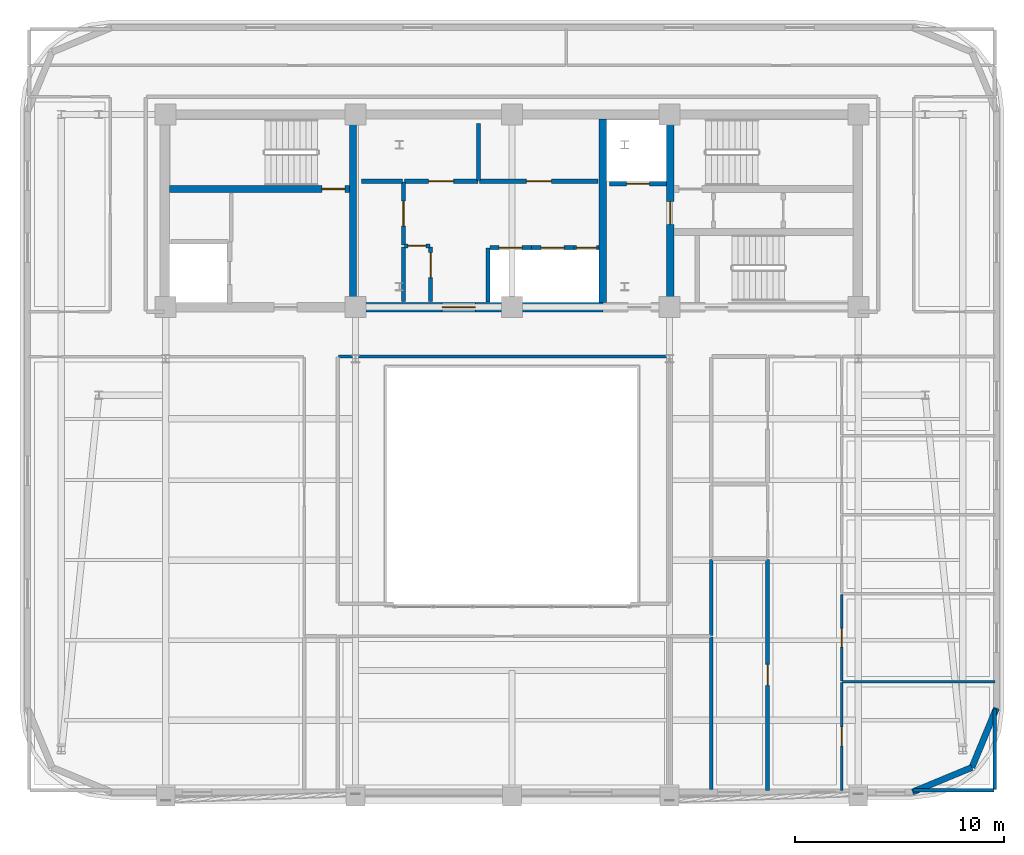
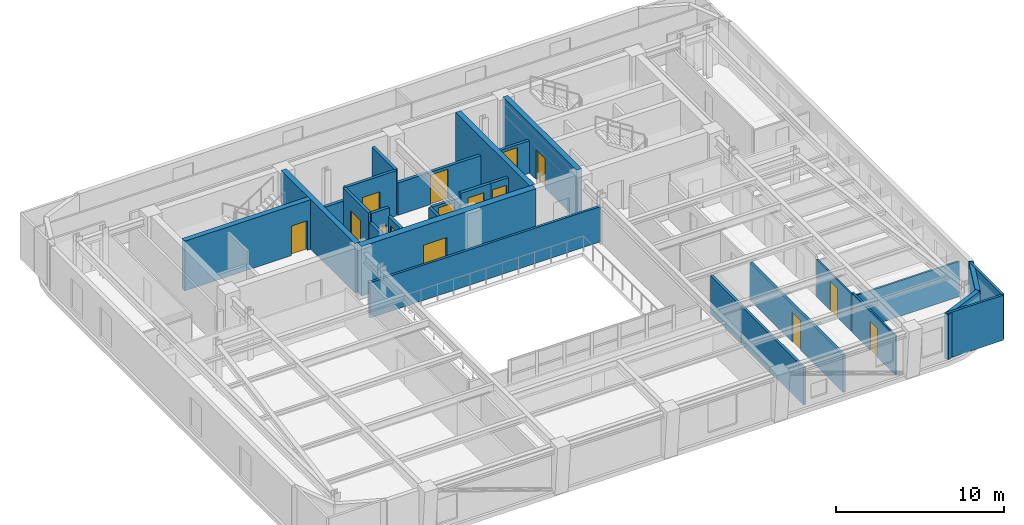
# One storey, part 7 of 13: 29 walls, 15 doors, 15 openings.
"""IFC4 building model written with IfcOpenShell, lengths in metres."""

from ifc_helpers import new_model, si_unit, direction, frame, frame_2d, origin, place, context, subcontext, project, spatial, rectangle, extrude, material, layer, layer_set, type_object, element, fill, save


model = new_model("IFC4")

# Units and contexts
model_context = context("Model", 3, precision=1e-05, world=origin(), true_north=direction((0.0, 1.0)))
body_context = subcontext(model_context, "Body", "Model", "MODEL_VIEW")
ifc_project = project(units=[si_unit("LENGTHUNIT", "METRE"), si_unit("AREAUNIT", "SQUARE_METRE"), si_unit("VOLUMEUNIT", "CUBIC_METRE"), si_unit("PLANEANGLEUNIT", "RADIAN"), si_unit("MASSUNIT", "GRAM", prefix="KILO")], contexts=[model_context])

# Site, building, storey
site_placement = place(None, origin())
site = spatial("IfcSite", under=ifc_project, at=site_placement, CompositionType="ELEMENT")
building_placement = place(site_placement, origin())
building = spatial("IfcBuilding", under=site, at=building_placement, Name="Zarnavel Station Tower", CompositionType="ELEMENT")
storey_placement = place(building_placement, frame((0.0, 0.0, 240.0)))
storey = spatial("IfcBuildingStorey", under=building, at=storey_placement, Name="L65", CompositionType="ELEMENT", Elevation=240.0)

# Walls
ifc_material_1 = material(Name="Concrete C50/60", Category="concrete")
ifc_layer_1 = layer(ifc_material_1, 0.35009765625)
ifc_layer_set_1 = layer_set([ifc_layer_1], Name="CW_350")
wall_type_1 = type_object("IfcWallType", Name="CW_350", PredefinedType="SHEAR", material=ifc_layer_set_1)
for number, where, z_axis, x_axis, name in (
    (1, (21.179931640625, 28.044921875, 0.0), (0.0, 0.0, 1.0), (0.0, 1.0, 0.0), "L65 Rear Core Shear Wall DIV-W"),
    (2, (33.14990234375, 28.044921875, 0.0), (0.0, 0.0, 1.0), (0.0, 1.0, 0.0), "L65 Rear Core Shear Wall DIV-E"),
):
    element("IfcWall", number, at=place(storey_placement, frame(where, z_axis=z_axis, x_axis=x_axis)), inside=storey, type_object=wall_type_1, Name=name, PredefinedType="SHEAR", context=body_context, shape_type="SweptSolid", body=[
        extrude(rectangle(XDim=8.780029296875, YDim=0.35009765625, at=frame_2d((4.39013671875, 0.0))), origin(), (0.0, 0.0, 1.0), 3.60009765625),
    ])

# Wall, opening, door
wall_1_placement = place(storey_placement, frame((36.3798828125, 28.044921875, 0.0), z_axis=(0.0, 0.0, 1.0), x_axis=(0.0, 1.0, 0.0)))
wall_1 = element("IfcWall", 3, at=wall_1_placement, inside=storey, type_object=wall_type_1, Name="L65 Rear Core Shear Wall DIV-S2", PredefinedType="SHEAR", context=body_context, shape_type="SweptSolid", body=[
    extrude(rectangle(XDim=8.780029296875, YDim=0.35009765625, at=frame_2d((4.39013671875, 0.0))), origin(), (0.0, 0.0, 1.0), 3.60009765625),
])
opening_1_placement = place(wall_1_placement, frame((3.735107421875, 0.0, 0.0)))
opening_1 = element("IfcOpeningElement", 4, at=opening_1_placement, cuts=wall_1, Name="Opening FD01", PredefinedType="OPENING", context=body_context, shape_type="SweptSolid", body=[
    extrude(rectangle(XDim=1.10009765625, YDim=2.14990234375, at=frame_2d((0.550048828125, 1.074951171875))), frame((0.0, 0.18505859375, 0.0), z_axis=(0.0, -1.0, 0.0), x_axis=(1.0, 0.0, 0.0)), (0.0, 0.0, 1.0), 0.3701171875),
])
ifc_material_2 = material(Name="Painted Galvanised Steel and Hardwood Leaf", Category="steel")
door_type_1 = type_object("IfcDoorType", Name="ID_STAIR_1100", OperationType="NOTDEFINED", PredefinedType="DOOR", material=ifc_material_2)
door_1_placement = place(opening_1_placement, origin())
door_1 = element("IfcDoor", 5, at=door_1_placement, inside=storey, type_object=door_type_1, Name="L65 East Stair Vestibule Fire Door", OperationType="SINGLE_SWING_LEFT", OverallHeight=2.14990234375, OverallWidth=1.10009765625, PredefinedType="DOOR", context=body_context, shape_type="SweptSolid", body=[
    extrude(rectangle(XDim=1.10009765625, YDim=2.14990234375, at=frame_2d((0.550048828125, 1.074951171875))), frame((0.0, 0.02490234375, 0.0), z_axis=(0.0, -1.0, 0.0), x_axis=(1.0, 0.0, 0.0)), (0.0, 0.0, 1.0), 0.050048828125),
])
fill(opening_1, door_1)

wall_2_placement = place(storey_placement, frame((21.0048828125, 33.47998046875, 0.0), z_axis=(0.0, 0.0, 1.0), x_axis=(-1.0, 0.0, 0.0)))
wall_2 = element("IfcWall", 6, at=wall_2_placement, inside=storey, type_object=wall_type_1, Name="L65 Rear Core Shear Wall DIV-H1", PredefinedType="SHEAR", context=body_context, shape_type="SweptSolid", body=[
    extrude(rectangle(XDim=8.6298828125, YDim=0.35009765625, at=frame_2d((4.31494140625, 0.0))), origin(), (0.0, 0.0, 1.0), 3.60009765625),
])
opening_2_placement = place(wall_2_placement, frame((0.219970703125, 0.0, 0.0)))
opening_2 = element("IfcOpeningElement", 7, at=opening_2_placement, cuts=wall_2, Name="Opening FD01", PredefinedType="OPENING", context=body_context, shape_type="SweptSolid", body=[
    extrude(rectangle(XDim=1.10009765625, YDim=2.14990234375, at=frame_2d((0.550048828125, 1.074951171875))), frame((0.0, 0.18505859375, 0.0), z_axis=(0.0, -1.0, 0.0), x_axis=(1.0, 0.0, 0.0)), (0.0, 0.0, 1.0), 0.3701171875),
])
door_2_placement = place(opening_2_placement, origin())
door_2 = element("IfcDoor", 8, at=door_2_placement, inside=storey, type_object=door_type_1, Name="L65 Stair ST1 Lobby Fire Door", OperationType="SINGLE_SWING_LEFT", OverallHeight=2.14990234375, OverallWidth=1.10009765625, PredefinedType="DOOR", context=body_context, shape_type="SweptSolid", body=[
    extrude(rectangle(XDim=1.10009765625, YDim=2.14990234375, at=frame_2d((0.550048828125, 1.074951171875))), frame((0.0, 0.02490234375, 0.0), z_axis=(0.0, -1.0, 0.0), x_axis=(1.0, 0.0, 0.0)), (0.0, 0.0, 1.0), 0.050048828125),
])
fill(opening_2, door_2)

ifc_material_3 = material(Name="Concrete C50/60", Category="concrete")
ifc_layer_2 = layer(ifc_material_3, 0.449951171875)
ifc_layer_set_2 = layer_set([ifc_layer_2], Name="CW_450")
wall_type_2 = type_object("IfcWallType", Name="CW_450", PredefinedType="SHEAR", material=ifc_layer_set_2)
wall_3_placement = place(storey_placement, frame((33.14990234375, 27.820068359375, 0.0), z_axis=(0.0, 0.0, 1.0), x_axis=(-1.0, 0.0, 0.0)))
wall_3 = element("IfcWall", 9, at=wall_3_placement, inside=storey, type_object=wall_type_2, Name="L65 Rear Core Shear Wall S-M", PredefinedType="SHEAR", context=body_context, shape_type="SweptSolid", body=[
    extrude(rectangle(XDim=11.969970703125, YDim=0.449951171875, at=frame_2d((5.98486328125, 0.0))), origin(), (0.0, 0.0, 1.0), 3.60009765625),
])
opening_3_placement = place(wall_3_placement, frame((6.10009765625, 0.0, 0.0)))
opening_3 = element("IfcOpeningElement", 10, at=opening_3_placement, cuts=wall_3, Name="Opening ID03", PredefinedType="OPENING", context=body_context, shape_type="SweptSolid", body=[
    extrude(rectangle(XDim=1.60009765625, YDim=2.199951171875, at=frame_2d((0.800048828125, 1.10009765625))), frame((0.0, 0.23486328125, 0.0), z_axis=(0.0, -1.0, 0.0), x_axis=(1.0, 0.0, 0.0)), (0.0, 0.0, 1.0), 0.469970703125),
])
ifc_material_4 = material(Name="Painted Galvanised Steel and Hardwood Leaf", Category="steel")
door_type_2 = type_object("IfcDoorType", Name="ID_PUBLIC_1600", OperationType="DOUBLE_DOOR_SINGLE_SWING", PredefinedType="DOOR", material=ifc_material_4)
door_3_placement = place(opening_3_placement, origin())
door_3 = element("IfcDoor", 11, at=door_3_placement, inside=storey, type_object=door_type_2, Name="L65 Passenger Lift Lobby Double Door", OperationType="SINGLE_SWING_LEFT", OverallHeight=2.199951171875, OverallWidth=1.60009765625, PredefinedType="DOOR", context=body_context, shape_type="SweptSolid", body=[
    extrude(rectangle(XDim=1.60009765625, YDim=2.199951171875, at=frame_2d((0.800048828125, 1.10009765625))), frame((0.0, 0.02490234375, 0.0), z_axis=(0.0, -1.0, 0.0), x_axis=(1.0, 0.0, 0.0)), (0.0, 0.0, 1.0), 0.050048828125),
])
fill(opening_3, door_3)

# Walls
ifc_material_5 = material(Name="Precast concrete C45/55 (Dark Basalt Finish)", Category="masonry")
ifc_layer_3 = layer(ifc_material_5, 0.300048828125)
ifc_layer_set_3 = layer_set([ifc_layer_3], Name="EW_BASALT_300")
wall_type_3 = type_object("IfcWallType", Name="EW_BASALT_300", PredefinedType="SOLIDWALL", material=ifc_layer_set_3)
wall_4_placement = place(storey_placement, frame((50.842529296875, 5.75732421875, 0.0), z_axis=(0.0, 0.0, 1.0), x_axis=(-0.92389884758, -0.382636798336, 0.0)))
element("IfcWall", 12, at=wall_4_placement, inside=storey, type_object=wall_type_3, Name="L65 Exterior Basalt Masonry Frame Wall 01", PredefinedType="SOLIDWALL", context=body_context, shape_type="SweptSolid", body=[
    extrude(rectangle(XDim=3.07666015625, YDim=0.300048828125, at=frame_2d((1.538330078125, 0.0))), origin(), (0.0, 0.0, 1.0), 3.280029296875),
])
wall_5_placement = place(storey_placement, frame((52.02001953125, 8.60009765625, 0.0), z_axis=(0.0, 0.0, 1.0), x_axis=(-0.382676475685, -0.923882414032, 0.0)))
element("IfcWall", 13, at=wall_5_placement, inside=storey, type_object=wall_type_3, Name="L65 Exterior Basalt Masonry Frame Wall 02", PredefinedType="SOLIDWALL", context=body_context, shape_type="SweptSolid", body=[
    extrude(rectangle(XDim=3.076904296875, YDim=0.300048828125, at=frame_2d((1.53857421875, 0.0))), origin(), (0.0, 0.0, 1.0), 3.280029296875),
])
ifc_material_6 = material(Name="Gypsum Twin-Stud Acoustic Fire Partition", Category="concrete")
ifc_layer_4 = layer(ifc_material_6, 0.159912109375)
ifc_layer_set_4 = layer_set([ifc_layer_4], Name="PT_DEMISE_160")
wall_type_4 = type_object("IfcWallType", Name="PT_DEMISE_160", PredefinedType="PARTITIONING", material=ifc_layer_set_4)
wall_6_placement = place(storey_placement, frame((20.47998046875, 25.449951171875, 0.0), z_axis=(0.0, 0.0, 1.0), x_axis=(1.0, 0.0, 0.0)))
element("IfcWall", 14, at=wall_6_placement, inside=storey, type_object=wall_type_4, Name="L65 Enclosure Wall COR-S", PredefinedType="PARTITIONING", context=body_context, shape_type="SweptSolid", body=[
    extrude(rectangle(XDim=15.840087890625, YDim=0.159912109375, at=frame_2d((7.919921875, 0.0))), origin(), (0.0, 0.0, 1.0), 2.56005859375),
])
wall_7_placement = place(storey_placement, frame((38.35009765625, 4.68994140625, 0.0), z_axis=(0.0, 0.0, 1.0), x_axis=(0.0, 1.0, 0.0)))
element("IfcWall", 15, at=wall_7_placement, inside=storey, type_object=wall_type_4, Name="L65 Enclosure Wall UE1KT", PredefinedType="PARTITIONING", context=body_context, shape_type="SweptSolid", body=[
    extrude(rectangle(XDim=7.330078125, YDim=0.159912109375, at=frame_2d((3.6650390625, 0.0))), origin(), (0.0, 0.0, 1.0), 2.7099609375),
])
wall_8_placement = place(storey_placement, frame((48.030029296875, 4.659912109375, 0.0), z_axis=(0.0, 0.0, 1.0), x_axis=(1.0, 0.0, 0.0)))
element("IfcWall", 16, at=wall_8_placement, inside=storey, type_object=wall_type_4, Name="L65 Enclosure Wall UE1B1", PredefinedType="PARTITIONING", context=body_context, shape_type="SweptSolid", body=[
    extrude(rectangle(XDim=3.8798828125, YDim=0.159912109375, at=frame_2d((1.93994140625, 0.0))), origin(), (0.0, 0.0, 1.0), 3.280029296875),
])
wall_9_placement = place(storey_placement, frame((51.93994140625, 4.68994140625, 0.0), z_axis=(0.0, 0.0, 1.0), x_axis=(0.0, 1.0, 0.0)))
element("IfcWall", 17, at=wall_9_placement, inside=storey, type_object=wall_type_4, Name="L65 Enclosure Wall UE1B1", PredefinedType="PARTITIONING", context=body_context, shape_type="SweptSolid", body=[
    extrude(rectangle(XDim=3.880126953125, YDim=0.159912109375, at=frame_2d((1.93994140625, 0.0))), origin(), (0.0, 0.0, 1.0), 3.280029296875),
])

# Wall, opening, door
ifc_material_7 = material(Name="Gypsum Metal-Stud Interior Partition", Category="concrete")
ifc_layer_5 = layer(ifc_material_7, 0.1201171875)
ifc_layer_set_5 = layer_set([ifc_layer_5], Name="PT_ROOM_120")
wall_type_5 = type_object("IfcWallType", Name="PT_ROOM_120", PredefinedType="PARTITIONING", material=ifc_layer_set_5)
wall_10_placement = place(storey_placement, frame((44.60888671875, 4.659912109375, 0.0), z_axis=(0.0, 0.0, 1.0), x_axis=(0.0, 1.0, 0.0)))
wall_10 = element("IfcWall", 18, at=wall_10_placement, inside=storey, type_object=wall_type_5, Name="L65 Partition UE1LV-UE1B1", PredefinedType="PARTITIONING", context=body_context, shape_type="SweptSolid", body=[
    extrude(rectangle(XDim=5.156982421875, YDim=0.1201171875, at=frame_2d((2.57861328125, 0.0))), origin(), (0.0, 0.0, 1.0), 2.8701171875),
])
opening_4_placement = place(wall_10_placement, frame((2.12841796875, 0.0, 0.0)))
opening_4 = element("IfcOpeningElement", 19, at=opening_4_placement, cuts=wall_10, Name="Opening ID01", PredefinedType="OPENING", context=body_context, shape_type="SweptSolid", body=[
    extrude(rectangle(XDim=0.89990234375, YDim=2.10009765625, at=frame_2d((0.449951171875, 1.050048828125))), frame((0.0, 0.070068359375, 0.0), z_axis=(0.0, -1.0, 0.0), x_axis=(1.0, 0.0, 0.0)), (0.0, 0.0, 1.0), 0.14013671875),
])
ifc_material_8 = material(Name="Painted Galvanised Steel and Hardwood Leaf", Category="steel")
door_type_3 = type_object("IfcDoorType", Name="ID_ROOM_900", OperationType="NOTDEFINED", PredefinedType="DOOR", material=ifc_material_8)
door_4_placement = place(opening_4_placement, origin())
door_4 = element("IfcDoor", 20, at=door_4_placement, inside=storey, type_object=door_type_3, Name="L65 Door UE1LV-UE1B1", OperationType="SINGLE_SWING_RIGHT", OverallHeight=2.10009765625, OverallWidth=0.89990234375, PredefinedType="DOOR", context=body_context, shape_type="SweptSolid", body=[
    extrude(rectangle(XDim=0.89990234375, YDim=2.10009765625, at=frame_2d((0.449951171875, 1.050048828125))), frame((0.0, 0.02490234375, 0.0), z_axis=(0.0, -1.0, 0.0), x_axis=(1.0, 0.0, 0.0)), (0.0, 0.0, 1.0), 0.050048828125),
])
fill(opening_4, door_4)

wall_11_placement = place(storey_placement, frame((44.60888671875, 9.89697265625, 0.0), z_axis=(0.0, 0.0, 1.0), x_axis=(0.0, 1.0, 0.0)))
wall_11 = element("IfcWall", 21, at=wall_11_placement, inside=storey, type_object=wall_type_5, Name="L65 Partition UE1LV-UE1B2", PredefinedType="PARTITIONING", context=body_context, shape_type="SweptSolid", body=[
    extrude(rectangle(XDim=4.14794921875, YDim=0.1201171875, at=frame_2d((2.073974609375, 0.0))), origin(), (0.0, 0.0, 1.0), 2.7099609375),
])
opening_5_placement = place(wall_11_placement, frame((1.6240234375, 0.0, 0.0)))
opening_5 = element("IfcOpeningElement", 22, at=opening_5_placement, cuts=wall_11, Name="Opening ID01", PredefinedType="OPENING", context=body_context, shape_type="SweptSolid", body=[
    extrude(rectangle(XDim=0.89990234375, YDim=2.10009765625, at=frame_2d((0.449951171875, 1.050048828125))), frame((0.0, 0.070068359375, 0.0), z_axis=(0.0, -1.0, 0.0), x_axis=(1.0, 0.0, 0.0)), (0.0, 0.0, 1.0), 0.14013671875),
])
door_5_placement = place(opening_5_placement, origin())
door_5 = element("IfcDoor", 23, at=door_5_placement, inside=storey, type_object=door_type_3, Name="L65 Door UE1LV-UE1B2", OperationType="SINGLE_SWING_LEFT", OverallHeight=2.10009765625, OverallWidth=0.89990234375, PredefinedType="DOOR", context=body_context, shape_type="SweptSolid", body=[
    extrude(rectangle(XDim=0.89990234375, YDim=2.10009765625, at=frame_2d((0.449951171875, 1.050048828125))), frame((0.0, 0.02490234375, 0.0), z_axis=(0.0, -1.0, 0.0), x_axis=(1.0, 0.0, 0.0)), (0.0, 0.0, 1.0), 0.050048828125),
])
fill(opening_5, door_5)

# Wall
wall_12_placement = place(storey_placement, frame((44.64892578125, 9.85693359375, 0.0), z_axis=(0.0, 0.0, 1.0), x_axis=(1.0, 0.0, 0.0)))
element("IfcWall", 24, at=wall_12_placement, inside=storey, type_object=wall_type_5, Name="L65 Partition UE1B1-UE1B2", PredefinedType="PARTITIONING", context=body_context, shape_type="SweptSolid", body=[
    extrude(rectangle(XDim=7.291015625, YDim=0.1201171875, at=frame_2d((3.6455078125, 0.0))), origin(), (0.0, 0.0, 1.0), 2.56005859375),
])

# Wall, opening, door
ifc_material_9 = material(Name="Precast concrete C45/55 (Fire Shaft Blockwork)", Category="masonry")
ifc_layer_6 = layer(ifc_material_9, 0.199951171875)
ifc_layer_set_6 = layer_set([ifc_layer_6], Name="PT_SHAFT_200")
wall_type_6 = type_object("IfcWallType", Name="PT_SHAFT_200", PredefinedType="PARTITIONING", material=ifc_layer_set_6)
wall_13_placement = place(storey_placement, frame((33.47509765625, 33.72998046875, 0.0), z_axis=(0.0, 0.0, 1.0), x_axis=(1.0, 0.0, 0.0)))
wall_13 = element("IfcWall", 25, at=wall_13_placement, inside=storey, type_object=wall_type_6, Name="L65 Lift FFL-02 Shaft Front Wall", PredefinedType="PARTITIONING", context=body_context, shape_type="SweptSolid", body=[
    extrude(rectangle(XDim=2.724853515625, YDim=0.199951171875, at=frame_2d((1.3623046875, 0.0))), origin(), (0.0, 0.0, 1.0), 2.35009765625),
])
opening_6_placement = place(wall_13_placement, frame((0.8125, 0.0, 0.0)))
opening_6 = element("IfcOpeningElement", 26, at=opening_6_placement, cuts=wall_13, Name="Opening LD01", PredefinedType="OPENING", context=body_context, shape_type="SweptSolid", body=[
    extrude(rectangle(XDim=1.10009765625, YDim=2.14990234375, at=frame_2d((0.550048828125, 1.074951171875))), frame((0.0, 0.10986328125, 0.0), z_axis=(0.0, -1.0, 0.0), x_axis=(1.0, 0.0, 0.0)), (0.0, 0.0, 1.0), 0.219970703125),
])
ifc_material_10 = material(Name="Painted Galvanised Steel and Hardwood Leaf", Category="steel")
door_type_4 = type_object("IfcDoorType", Name="LD_FF_1100", OperationType="DOUBLE_DOOR_SLIDING", PredefinedType="DOOR", material=ifc_material_10)
door_6_placement = place(opening_6_placement, origin())
door_6 = element("IfcDoor", 27, at=door_6_placement, inside=storey, type_object=door_type_4, Name="L65 Lift FFL-02 Sliding Landing Door", OperationType="DOUBLE_DOOR_SLIDING", OverallHeight=2.14990234375, OverallWidth=1.10009765625, PredefinedType="DOOR", context=body_context, shape_type="SweptSolid", body=[
    extrude(rectangle(XDim=1.10009765625, YDim=2.14990234375, at=frame_2d((0.550048828125, 1.074951171875))), frame((0.0, 0.02490234375, 0.0), z_axis=(0.0, -1.0, 0.0), x_axis=(1.0, 0.0, 0.0)), (0.0, 0.0, 1.0), 0.050048828125),
])
fill(opening_6, door_6)

wall_14_placement = place(storey_placement, frame((27.75, 30.669921875, 0.0), z_axis=(0.0, 0.0, 1.0), x_axis=(1.0, 0.0, 0.0)))
wall_14 = element("IfcWall", 28, at=wall_14_placement, inside=storey, type_object=wall_type_6, Name="L65 Lift PL-H1 Shaft Front Wall", PredefinedType="PARTITIONING", context=body_context, shape_type="SweptSolid", body=[
    extrude(rectangle(XDim=1.97509765625, YDim=0.199951171875, at=frame_2d((0.987548828125, 0.0))), origin(), (0.0, 0.0, 1.0), 2.35009765625),
])
opening_7_placement = place(wall_14_placement, frame((0.4375, 0.0, 0.0)))
opening_7 = element("IfcOpeningElement", 29, at=opening_7_placement, cuts=wall_14, Name="Opening LD02", PredefinedType="OPENING", context=body_context, shape_type="SweptSolid", body=[
    extrude(rectangle(XDim=1.10009765625, YDim=2.14990234375, at=frame_2d((0.550048828125, 1.074951171875))), frame((0.0, 0.10986328125, 0.0), z_axis=(0.0, -1.0, 0.0), x_axis=(1.0, 0.0, 0.0)), (0.0, 0.0, 1.0), 0.219970703125),
])
ifc_material_11 = material(Name="Painted Galvanised Steel and Hardwood Leaf", Category="steel")
door_type_5 = type_object("IfcDoorType", Name="LD_PAX_1100", OperationType="DOUBLE_DOOR_SLIDING", PredefinedType="DOOR", material=ifc_material_11)
door_7_placement = place(opening_7_placement, origin())
door_7 = element("IfcDoor", 30, at=door_7_placement, inside=storey, type_object=door_type_5, Name="L65 Lift PL-H1 Sliding Landing Door", OperationType="DOUBLE_DOOR_SLIDING", OverallHeight=2.14990234375, OverallWidth=1.10009765625, PredefinedType="DOOR", context=body_context, shape_type="SweptSolid", body=[
    extrude(rectangle(XDim=1.10009765625, YDim=2.14990234375, at=frame_2d((0.550048828125, 1.074951171875))), frame((0.0, 0.02490234375, 0.0), z_axis=(0.0, -1.0, 0.0), x_axis=(1.0, 0.0, 0.0)), (0.0, 0.0, 1.0), 0.050048828125),
])
fill(opening_7, door_7)

# Wall
wall_15_placement = place(storey_placement, frame((27.64990234375, 28.070068359375, 0.0), z_axis=(0.0, 0.0, 1.0), x_axis=(0.0, 1.0, 0.0)))
element("IfcWall", 31, at=wall_15_placement, inside=storey, type_object=wall_type_6, Name="L65 High-Rise Lift Bank West Shaft Wall", PredefinedType="PARTITIONING", context=body_context, shape_type="SweptSolid", body=[
    extrude(rectangle(XDim=2.579833984375, YDim=0.199951171875, at=frame_2d((1.2900390625, 0.0))), origin(), (0.0, 0.0, 1.0), 2.35009765625),
])

# Wall, opening, door
wall_16_placement = place(storey_placement, frame((29.72509765625, 30.669921875, 0.0), z_axis=(0.0, 0.0, 1.0), x_axis=(1.0, 0.0, 0.0)))
wall_16 = element("IfcWall", 32, at=wall_16_placement, inside=storey, type_object=wall_type_6, Name="L65 Lift PL-H2 Shaft Front Wall", PredefinedType="PARTITIONING", context=body_context, shape_type="SweptSolid", body=[
    extrude(rectangle(XDim=2.0498046875, YDim=0.199951171875, at=frame_2d((1.02490234375, 0.0))), origin(), (0.0, 0.0, 1.0), 2.659912109375),
])
opening_8_placement = place(wall_16_placement, frame((0.47509765625, 0.0, 0.0)))
opening_8 = element("IfcOpeningElement", 33, at=opening_8_placement, cuts=wall_16, Name="Opening LD02", PredefinedType="OPENING", context=body_context, shape_type="SweptSolid", body=[
    extrude(rectangle(XDim=1.10009765625, YDim=2.14990234375, at=frame_2d((0.550048828125, 1.074951171875))), frame((0.0, 0.10986328125, 0.0), z_axis=(0.0, -1.0, 0.0), x_axis=(1.0, 0.0, 0.0)), (0.0, 0.0, 1.0), 0.219970703125),
])
door_8_placement = place(opening_8_placement, origin())
door_8 = element("IfcDoor", 34, at=door_8_placement, inside=storey, type_object=door_type_5, Name="L65 Lift PL-H2 Sliding Landing Door", OperationType="DOUBLE_DOOR_SLIDING", OverallHeight=2.14990234375, OverallWidth=1.10009765625, PredefinedType="DOOR", context=body_context, shape_type="SweptSolid", body=[
    extrude(rectangle(XDim=1.10009765625, YDim=2.14990234375, at=frame_2d((0.550048828125, 1.074951171875))), frame((0.0, 0.02490234375, 0.0), z_axis=(0.0, -1.0, 0.0), x_axis=(1.0, 0.0, 0.0)), (0.0, 0.0, 1.0), 0.050048828125),
])
fill(opening_8, door_8)

wall_17_placement = place(storey_placement, frame((31.77490234375, 30.669921875, 0.0), z_axis=(0.0, 0.0, 1.0), x_axis=(1.0, 0.0, 0.0)))
wall_17 = element("IfcWall", 35, at=wall_17_placement, inside=storey, type_object=wall_type_6, Name="L65 Lift PL-H3 Shaft Front Wall", PredefinedType="PARTITIONING", context=body_context, shape_type="SweptSolid", body=[
    extrude(rectangle(XDim=1.2001953125, YDim=0.199951171875, at=frame_2d((0.60009765625, 0.0))), origin(), (0.0, 0.0, 1.0), 2.659912109375),
])
opening_9_placement = place(wall_17_placement, frame((0.125, 0.0, 0.0)))
opening_9 = element("IfcOpeningElement", 36, at=opening_9_placement, cuts=wall_17, Name="Opening LD03", PredefinedType="OPENING", context=body_context, shape_type="SweptSolid", body=[
    extrude(rectangle(XDim=0.949951171875, YDim=2.14990234375, at=frame_2d((0.47509765625, 1.074951171875))), frame((0.0, 0.10986328125, 0.0), z_axis=(0.0, -1.0, 0.0), x_axis=(1.0, 0.0, 0.0)), (0.0, 0.0, 1.0), 0.219970703125),
])
ifc_material_12 = material(Name="Painted Galvanised Steel and Hardwood Leaf", Category="steel")
door_type_6 = type_object("IfcDoorType", Name="LD_PAX_0950", OperationType="DOUBLE_DOOR_SLIDING", PredefinedType="DOOR", material=ifc_material_12)
door_9_placement = place(opening_9_placement, origin())
door_9 = element("IfcDoor", 37, at=door_9_placement, inside=storey, type_object=door_type_6, Name="L65 Lift PL-H3 Sliding Landing Door", OperationType="DOUBLE_DOOR_SLIDING", OverallHeight=2.14990234375, OverallWidth=0.949951171875, PredefinedType="DOOR", context=body_context, shape_type="SweptSolid", body=[
    extrude(rectangle(XDim=0.949951171875, YDim=2.14990234375, at=frame_2d((0.47509765625, 1.074951171875))), frame((0.0, 0.02490234375, 0.0), z_axis=(0.0, -1.0, 0.0), x_axis=(1.0, 0.0, 0.0)), (0.0, 0.0, 1.0), 0.050048828125),
])
fill(opening_9, door_9)

wall_18_placement = place(storey_placement, frame((23.60009765625, 30.7900390625, 0.0), z_axis=(0.0, 0.0, 1.0), x_axis=(0.0, 1.0, 0.0)))
wall_18 = element("IfcWall", 38, at=wall_18_placement, inside=storey, type_object=wall_type_6, Name="L65 Partition LLOB-CS1", PredefinedType="PARTITIONING", context=body_context, shape_type="SweptSolid", body=[
    extrude(rectangle(XDim=3.02001953125, YDim=0.199951171875, at=frame_2d((1.510009765625, 0.0))), origin(), (0.0, 0.0, 1.0), 3.280029296875),
])
opening_10_placement = place(wall_18_placement, frame((0.909912109375, 0.0, 0.0)))
opening_10 = element("IfcOpeningElement", 39, at=opening_10_placement, cuts=wall_18, Name="Opening FD03", PredefinedType="OPENING", context=body_context, shape_type="SweptSolid", body=[
    extrude(rectangle(XDim=1.199951171875, YDim=2.14990234375, at=frame_2d((0.60009765625, 1.074951171875))), frame((0.0, 0.10986328125, 0.0), z_axis=(0.0, -1.0, 0.0), x_axis=(1.0, 0.0, 0.0)), (0.0, 0.0, 1.0), 0.219970703125),
])
ifc_material_13 = material(Name="Painted Galvanised Steel and Hardwood Leaf", Category="steel")
door_type_7 = type_object("IfcDoorType", Name="ID_PLANT_1200", OperationType="NOTDEFINED", PredefinedType="DOOR", material=ifc_material_13)
door_10_placement = place(opening_10_placement, origin())
door_10 = element("IfcDoor", 40, at=door_10_placement, inside=storey, type_object=door_type_7, Name="L65 Door LLOB-CS1", OperationType="SINGLE_SWING_RIGHT", OverallHeight=2.14990234375, OverallWidth=1.199951171875, PredefinedType="DOOR", context=body_context, shape_type="SweptSolid", body=[
    extrude(rectangle(XDim=1.199951171875, YDim=2.14990234375, at=frame_2d((0.60009765625, 1.074951171875))), frame((0.0, 0.02490234375, 0.0), z_axis=(0.0, -1.0, 0.0), x_axis=(1.0, 0.0, 0.0)), (0.0, 0.0, 1.0), 0.050048828125),
])
fill(opening_10, door_10)

wall_19_placement = place(storey_placement, frame((23.639892578125, 30.75, 0.0), z_axis=(0.0, 0.0, 1.0), x_axis=(1.0, 0.0, 0.0)))
wall_19 = element("IfcWall", 41, at=wall_19_placement, inside=storey, type_object=wall_type_6, Name="L65 Partition LLOB-CS2", PredefinedType="PARTITIONING", context=body_context, shape_type="SweptSolid", body=[
    extrude(rectangle(XDim=1.22021484375, YDim=0.199951171875, at=frame_2d((0.610107421875, 0.0))), origin(), (0.0, 0.0, 1.0), 3.280029296875),
])
opening_11_placement = place(wall_19_placement, frame((0.18505859375, 0.0, 0.0)))
opening_11 = element("IfcOpeningElement", 42, at=opening_11_placement, cuts=wall_19, Name="Opening ID02", PredefinedType="OPENING", context=body_context, shape_type="SweptSolid", body=[
    extrude(rectangle(XDim=0.85009765625, YDim=2.10009765625, at=frame_2d((0.425048828125, 1.050048828125))), frame((0.0, 0.10986328125, 0.0), z_axis=(0.0, -1.0, 0.0), x_axis=(1.0, 0.0, 0.0)), (0.0, 0.0, 1.0), 0.219970703125),
])
ifc_material_14 = material(Name="Painted Galvanised Steel and Hardwood Leaf", Category="steel")
door_type_8 = type_object("IfcDoorType", Name="ID_BATH_850", OperationType="NOTDEFINED", PredefinedType="DOOR", material=ifc_material_14)
door_11_placement = place(opening_11_placement, origin())
door_11 = element("IfcDoor", 43, at=door_11_placement, inside=storey, type_object=door_type_8, Name="L65 Door LLOB-CS2", OperationType="SINGLE_SWING_LEFT", OverallHeight=2.10009765625, OverallWidth=0.85009765625, PredefinedType="DOOR", context=body_context, shape_type="SweptSolid", body=[
    extrude(rectangle(XDim=0.85009765625, YDim=2.10009765625, at=frame_2d((0.425048828125, 1.050048828125))), frame((0.0, 0.02490234375, 0.0), z_axis=(0.0, -1.0, 0.0), x_axis=(1.0, 0.0, 0.0)), (0.0, 0.0, 1.0), 0.050048828125),
])
fill(opening_11, door_11)

wall_20_placement = place(storey_placement, frame((23.639892578125, 33.85009765625, 0.0), z_axis=(0.0, 0.0, 1.0), x_axis=(1.0, 0.0, 0.0)))
wall_20 = element("IfcWall", 44, at=wall_20_placement, inside=storey, type_object=wall_type_6, Name="L65 Partition LLOB-FB2A", PredefinedType="PARTITIONING", context=body_context, shape_type="SweptSolid", body=[
    extrude(rectangle(XDim=3.52001953125, YDim=0.199951171875, at=frame_2d((1.760009765625, 0.0))), origin(), (0.0, 0.0, 1.0), 3.280029296875),
])
opening_12_placement = place(wall_20_placement, frame((1.159912109375, 0.0, 0.0)))
opening_12 = element("IfcOpeningElement", 45, at=opening_12_placement, cuts=wall_20, Name="Opening FD03", PredefinedType="OPENING", context=body_context, shape_type="SweptSolid", body=[
    extrude(rectangle(XDim=1.199951171875, YDim=2.14990234375, at=frame_2d((0.60009765625, 1.074951171875))), frame((0.0, 0.10986328125, 0.0), z_axis=(0.0, -1.0, 0.0), x_axis=(1.0, 0.0, 0.0)), (0.0, 0.0, 1.0), 0.219970703125),
])
door_12_placement = place(opening_12_placement, origin())
door_12 = element("IfcDoor", 46, at=door_12_placement, inside=storey, type_object=door_type_7, Name="L65 Door LLOB-FB2A", OperationType="SINGLE_SWING_RIGHT", OverallHeight=2.14990234375, OverallWidth=1.199951171875, PredefinedType="DOOR", context=body_context, shape_type="SweptSolid", body=[
    extrude(rectangle(XDim=1.199951171875, YDim=2.14990234375, at=frame_2d((0.60009765625, 1.074951171875))), frame((0.0, 0.02490234375, 0.0), z_axis=(0.0, -1.0, 0.0), x_axis=(1.0, 0.0, 0.0)), (0.0, 0.0, 1.0), 0.050048828125),
])
fill(opening_12, door_12)

wall_21_placement = place(storey_placement, frame((27.239990234375, 33.85009765625, 0.0), z_axis=(0.0, 0.0, 1.0), x_axis=(1.0, 0.0, 0.0)))
wall_21 = element("IfcWall", 47, at=wall_21_placement, inside=storey, type_object=wall_type_6, Name="L65 Partition LLOB-FB2B", PredefinedType="PARTITIONING", context=body_context, shape_type="SweptSolid", body=[
    extrude(rectangle(XDim=5.68994140625, YDim=0.199951171875, at=frame_2d((2.844970703125, 0.0))), origin(), (0.0, 0.0, 1.0), 2.35009765625),
])
opening_13_placement = place(wall_21_placement, frame((2.2451171875, 0.0, 0.0)))
opening_13 = element("IfcOpeningElement", 48, at=opening_13_placement, cuts=wall_21, Name="Opening FD03", PredefinedType="OPENING", context=body_context, shape_type="SweptSolid", body=[
    extrude(rectangle(XDim=1.199951171875, YDim=2.14990234375, at=frame_2d((0.60009765625, 1.074951171875))), frame((0.0, 0.10986328125, 0.0), z_axis=(0.0, -1.0, 0.0), x_axis=(1.0, 0.0, 0.0)), (0.0, 0.0, 1.0), 0.219970703125),
])
door_13_placement = place(opening_13_placement, origin())
door_13 = element("IfcDoor", 49, at=door_13_placement, inside=storey, type_object=door_type_7, Name="L65 Door LLOB-FB2B", OperationType="SINGLE_SWING_LEFT", OverallHeight=2.14990234375, OverallWidth=1.199951171875, PredefinedType="DOOR", context=body_context, shape_type="SweptSolid", body=[
    extrude(rectangle(XDim=1.199951171875, YDim=2.14990234375, at=frame_2d((0.60009765625, 1.074951171875))), frame((0.0, 0.02490234375, 0.0), z_axis=(0.0, -1.0, 0.0), x_axis=(1.0, 0.0, 0.0)), (0.0, 0.0, 1.0), 0.050048828125),
])
fill(opening_13, door_13)

wall_22_placement = place(storey_placement, frame((24.89990234375, 28.090087890625, 0.0), z_axis=(0.0, 0.0, 1.0), x_axis=(0.0, 1.0, 0.0)))
wall_22 = element("IfcWall", 50, at=wall_22_placement, inside=storey, type_object=wall_type_6, Name="L65 Partition LLOBS-CS2", PredefinedType="PARTITIONING", context=body_context, shape_type="SweptSolid", body=[
    extrude(rectangle(XDim=2.619873046875, YDim=0.199951171875, at=frame_2d((1.31005859375, 0.0))), origin(), (0.0, 0.0, 1.0), 2.659912109375),
])
opening_14_placement = place(wall_22_placement, frame((1.137451171875, 0.0, 0.0)))
opening_14 = element("IfcOpeningElement", 51, at=opening_14_placement, cuts=wall_22, Name="Opening FD03", PredefinedType="OPENING", context=body_context, shape_type="SweptSolid", body=[
    extrude(rectangle(XDim=1.199951171875, YDim=2.14990234375, at=frame_2d((0.60009765625, 1.074951171875))), frame((0.0, 0.10986328125, 0.0), z_axis=(0.0, -1.0, 0.0), x_axis=(1.0, 0.0, 0.0)), (0.0, 0.0, 1.0), 0.219970703125),
])
door_14_placement = place(opening_14_placement, origin())
door_14 = element("IfcDoor", 52, at=door_14_placement, inside=storey, type_object=door_type_7, Name="L65 Door LLOBS-CS2", OperationType="SINGLE_SWING_RIGHT", OverallHeight=2.14990234375, OverallWidth=1.199951171875, PredefinedType="DOOR", context=body_context, shape_type="SweptSolid", body=[
    extrude(rectangle(XDim=1.199951171875, YDim=2.14990234375, at=frame_2d((0.60009765625, 1.074951171875))), frame((0.0, 0.02490234375, 0.0), z_axis=(0.0, -1.0, 0.0), x_axis=(1.0, 0.0, 0.0)), (0.0, 0.0, 1.0), 0.050048828125),
])
fill(opening_14, door_14)

# Walls
wall_23_placement = place(storey_placement, frame((23.60009765625, 28.090087890625, 0.0), z_axis=(0.0, 0.0, 1.0), x_axis=(0.0, 1.0, 0.0)))
element("IfcWall", 53, at=wall_23_placement, inside=storey, type_object=wall_type_6, Name="L65 Partition CS1-CS2", PredefinedType="PARTITIONING", context=body_context, shape_type="SweptSolid", body=[
    extrude(rectangle(XDim=2.619873046875, YDim=0.199951171875, at=frame_2d((1.31005859375, 0.0))), origin(), (0.0, 0.0, 1.0), 2.659912109375),
])
wall_24_placement = place(storey_placement, frame((21.590087890625, 33.85009765625, 0.0), z_axis=(0.0, 0.0, 1.0), x_axis=(1.0, 0.0, 0.0)))
element("IfcWall", 54, at=wall_24_placement, inside=storey, type_object=wall_type_6, Name="L65 Partition CS1-FB2A", PredefinedType="PARTITIONING", context=body_context, shape_type="SweptSolid", body=[
    extrude(rectangle(XDim=1.969970703125, YDim=0.199951171875, at=frame_2d((0.98486328125, 0.0))), origin(), (0.0, 0.0, 1.0), 2.35009765625),
])
wall_25_placement = place(storey_placement, frame((27.199951171875, 33.889892578125, 0.0), z_axis=(0.0, 0.0, 1.0), x_axis=(0.0, 1.0, 0.0)))
element("IfcWall", 55, at=wall_25_placement, inside=storey, type_object=wall_type_6, Name="L65 Partition FB2A-FB2B", PredefinedType="PARTITIONING", context=body_context, shape_type="SweptSolid", body=[
    extrude(rectangle(XDim=2.72021484375, YDim=0.199951171875, at=frame_2d((1.360107421875, 0.0))), origin(), (0.0, 0.0, 1.0), 3.280029296875),
])
ifc_material_15 = material(Name="Moisture-Resistant Plumbing Chase Wall", Category="concrete")
ifc_layer_7 = layer(ifc_material_15, 0.179931640625)
ifc_layer_set_7 = layer_set([ifc_layer_7], Name="PW_PLUMB_180")
wall_type_7 = type_object("IfcWallType", Name="PW_PLUMB_180", PredefinedType="PLUMBINGWALL", material=ifc_layer_set_7)
wall_26_placement = place(storey_placement, frame((38.35009765625, 12.090087890625, 0.0), z_axis=(0.0, 0.0, 1.0), x_axis=(0.0, 1.0, 0.0)))
element("IfcWall", 56, at=wall_26_placement, inside=storey, type_object=wall_type_7, Name="L65 Partition COR-AE-UE1KT", PredefinedType="PLUMBINGWALL", context=body_context, shape_type="SweptSolid", body=[
    extrude(rectangle(XDim=3.640869140625, YDim=0.179931640625, at=frame_2d((1.8203125, 0.0))), origin(), (0.0, 0.0, 1.0), 2.7099609375),
])

# Wall, opening, door
wall_27_placement = place(storey_placement, frame((41.050048828125, 4.659912109375, 0.0), z_axis=(0.0, 0.0, 1.0), x_axis=(0.0, 1.0, 0.0)))
wall_27 = element("IfcWall", 57, at=wall_27_placement, inside=storey, type_object=wall_type_7, Name="L65 Partition UE1LV-UE1KT", PredefinedType="PLUMBINGWALL", context=body_context, shape_type="SweptSolid", body=[
    extrude(rectangle(XDim=11.071044921875, YDim=0.179931640625, at=frame_2d((5.53564453125, 0.0))), origin(), (0.0, 0.0, 1.0), 2.7099609375),
])
opening_15_placement = place(wall_27_placement, frame((5.035400390625, 0.0, 0.0)))
opening_15 = element("IfcOpeningElement", 58, at=opening_15_placement, cuts=wall_27, Name="Opening FD02", PredefinedType="OPENING", context=body_context, shape_type="SweptSolid", body=[
    extrude(rectangle(XDim=1.0, YDim=2.14990234375, at=frame_2d((0.5, 1.074951171875))), frame((0.0, 0.099853515625, 0.0), z_axis=(0.0, -1.0, 0.0), x_axis=(1.0, 0.0, 0.0)), (0.0, 0.0, 1.0), 0.199951171875),
])
ifc_material_16 = material(Name="Painted Galvanised Steel and Hardwood Leaf", Category="steel")
door_type_9 = type_object("IfcDoorType", Name="ID_ENTRY_1000", OperationType="NOTDEFINED", PredefinedType="DOOR", material=ifc_material_16)
door_15_placement = place(opening_15_placement, origin())
door_15 = element("IfcDoor", 59, at=door_15_placement, inside=storey, type_object=door_type_9, Name="L65 Door UE1LV-UE1KT", OperationType="SINGLE_SWING_LEFT", OverallHeight=2.14990234375, OverallWidth=1.0, PredefinedType="DOOR", context=body_context, shape_type="SweptSolid", body=[
    extrude(rectangle(XDim=1.0, YDim=2.14990234375, at=frame_2d((0.5, 1.074951171875))), frame((0.0, 0.02490234375, 0.0), z_axis=(0.0, -1.0, 0.0), x_axis=(1.0, 0.0, 0.0)), (0.0, 0.0, 1.0), 0.050048828125),
])
fill(opening_15, door_15)

save(model, "model.ifc")
